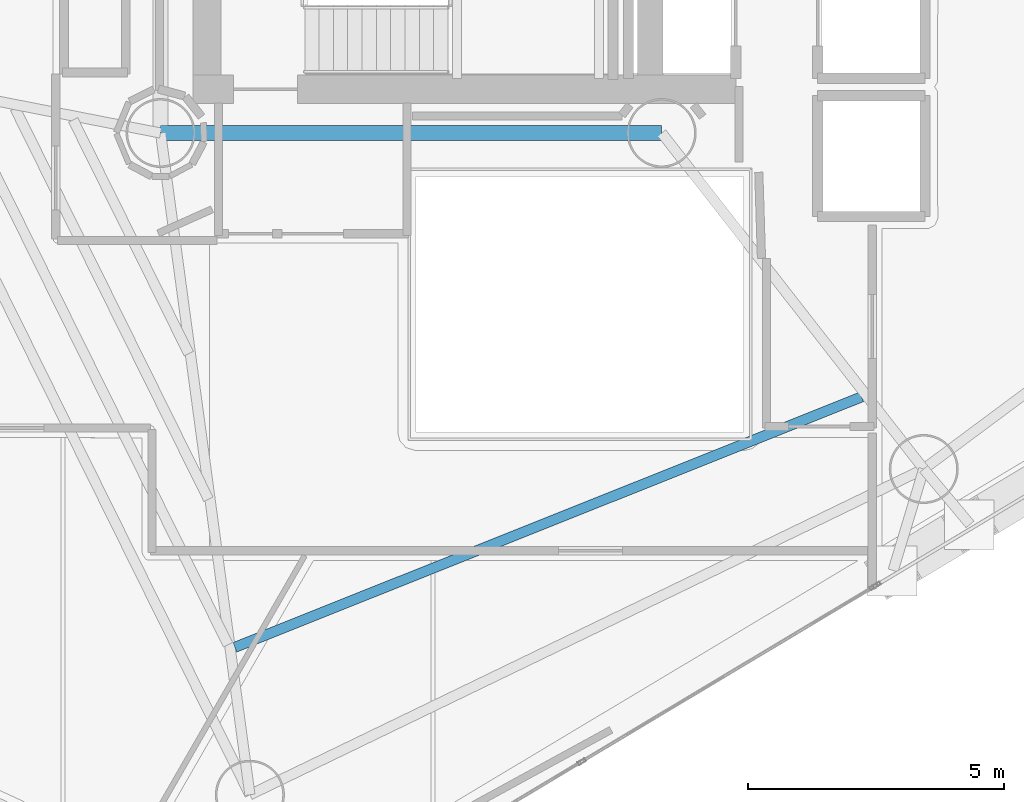
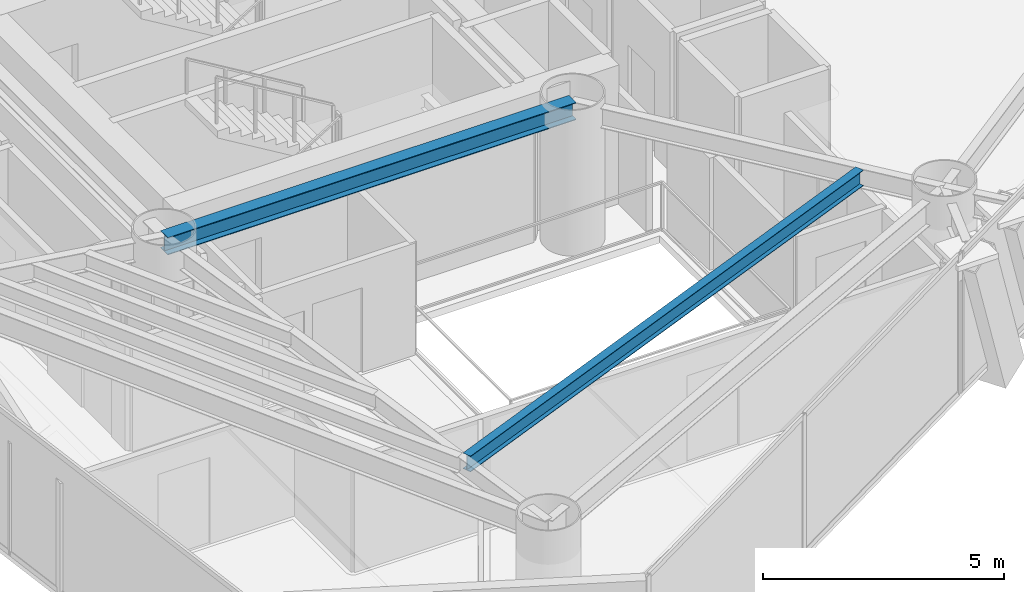
# One storey, part 4 of 22: 2 beams.
"""IFC4 building model written with IfcOpenShell, lengths in metres."""

from ifc_helpers import new_model, si_unit, direction, frame, origin, origin_2d, place, context, subcontext, project, spatial, i_section, extrude, material, material_profile, profile_set, type_object, element, save


model = new_model("IFC4")

# Units and contexts
model_context = context("Model", 3, precision=1e-05, world=origin(), true_north=direction((0.0, 1.0)))
body_context = subcontext(model_context, "Body", "Model", "MODEL_VIEW")
ifc_project = project(units=[si_unit("LENGTHUNIT", "METRE"), si_unit("AREAUNIT", "SQUARE_METRE"), si_unit("VOLUMEUNIT", "CUBIC_METRE"), si_unit("PLANEANGLEUNIT", "RADIAN"), si_unit("MASSUNIT", "GRAM", prefix="KILO")], contexts=[model_context])

# Site, building, storey
site_placement = place(None, origin())
site = spatial("IfcSite", under=ifc_project, at=site_placement, CompositionType="ELEMENT")
building_placement = place(site_placement, origin())
building = spatial("IfcBuilding", under=site, at=building_placement, Name="Qianvela Tower", CompositionType="ELEMENT")
storey_placement = place(building_placement, frame((0.0, 0.0, 173.5)))
storey = spatial("IfcBuildingStorey", under=building, at=storey_placement, Name="L44", CompositionType="ELEMENT", Elevation=173.5)

# Beams
ifc_material_1 = material(Name="Steel Q355B", Category="steel")
ifc_material_profile_1 = material_profile(ifc_material_1, i_section(OverallWidth=0.300048828125, OverallDepth=0.43994140625, WebThickness=0.010986328125, FlangeThickness=0.01806640625, at=origin_2d()), Name="HM440x300x11x18")
ifc_profile_set_1 = profile_set([ifc_material_profile_1], Name="Steel Q355B")
beam_type_1 = type_object("IfcBeamType", Name="BM-HM440-COLL", PredefinedType="BEAM", material=ifc_profile_set_1)
beam_1_placement = place(storey_placement, frame((28.60009765625, 23.85009765625, 3.298095703125), z_axis=(1.0, 0.0, 0.0), x_axis=(0.0, 1.0, 0.0)))
element("IfcBeam", 1, at=beam_1_placement, inside=storey, type_object=beam_type_1, Name="L44 Core Ring Collector Girder CC1", PredefinedType="BEAM", context=body_context, shape_type="SweptSolid", body=[
    extrude(i_section(OverallWidth=0.300048828125, OverallDepth=0.43994140625, WebThickness=0.010986328125, FlangeThickness=0.01806640625, at=origin_2d()), origin(), (0.0, 0.0, 1.0), 9.7998046875),
])
ifc_material_2 = material(Name="Steel Q355B", Category="steel")
ifc_material_profile_2 = material_profile(ifc_material_2, i_section(OverallWidth=0.199951171875, OverallDepth=0.39990234375, WebThickness=0.008056640625, FlangeThickness=0.012939453125, at=origin_2d()), Name="HN400x200x8x13")
ifc_profile_set_2 = profile_set([ifc_material_profile_2], Name="Steel Q355B")
beam_type_2 = type_object("IfcBeamType", Name="BM-HN400-JOIST", PredefinedType="JOIST", material=ifc_profile_set_2)
beam_2_placement = place(storey_placement, frame((30.0517578125, 13.79150390625, 3.318115234375), z_axis=(0.928611849806, 0.371052600584, 0.0), x_axis=(-0.371052600584, 0.928611849806, 0.0)))
element("IfcBeam", 2, at=beam_2_placement, inside=storey, type_object=beam_type_2, Name="L44 Secondary Composite Floor Joist 5.3", PredefinedType="JOIST", context=body_context, shape_type="SweptSolid", body=[
    extrude(i_section(OverallWidth=0.199951171875, OverallDepth=0.39990234375, WebThickness=0.008056640625, FlangeThickness=0.012939453125, at=origin_2d()), origin(), (0.0, 0.0, 1.0), 13.19873046875),
])

save(model, "model.ifc")
